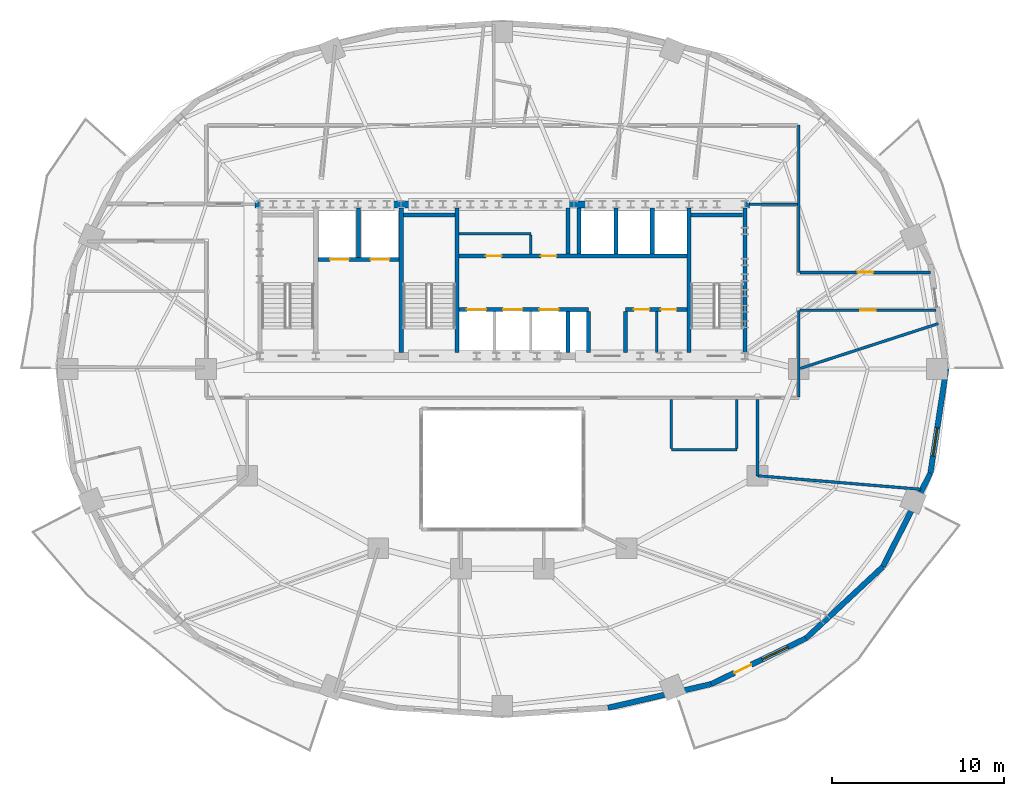
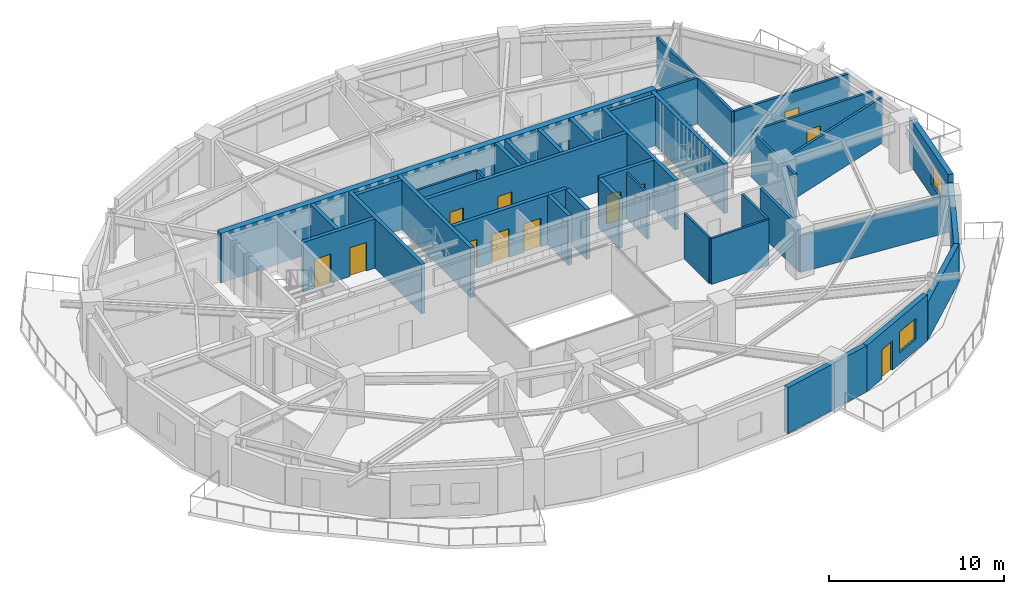
# One storey, part 7 of 13: 38 walls, 12 doors, 2 windows, 14 openings.
"""IFC4 building model written with IfcOpenShell, lengths in metres."""

import ifcopenshell
import ifcopenshell.guid

model = None  # the IFC model being written
_history = None  # IfcOwnerHistory: only IFC2X3 demands one
_inside = {}  # id of a spatial element -> (the spatial element, [elements in it])
_under = {}  # id of a project, library or spatial element -> (it, [spatial elements below it])
_declared = {}  # id of a project -> (the project, [libraries it declares])
_typed = {}  # id of a type object -> (the type object, [elements of that type])
_made_of = {}  # id of a material, layer set ... -> (it, [elements and type objects made of it])


def new_model(schema):
    """Start an empty IFC model of exactly this schema.

    Asked for "IFC4X3", IfcOpenShell would pick the latest addendum, in which some entities
    have other attributes; the version numbers below select the first issue.
    IFC2X3 requires an IfcOwnerHistory on every rooted entity: one is made here for all.
    """
    global model, _history
    if schema == "IFC4X3":
        model = ifcopenshell.file(schema_version=(4, 3, 0, 0))
    else:
        model = ifcopenshell.file(schema=schema)
    _inside.clear()
    _under.clear()
    _declared.clear()
    _typed.clear()
    _made_of.clear()
    _history = None
    if model.schema == "IFC2X3":
        org = make("IfcOrganization", Name="unknown")
        user = make(
            "IfcPersonAndOrganization",
            ThePerson=make("IfcPerson", FamilyName="unknown"),
            TheOrganization=org,
        )
        app = make(
            "IfcApplication",
            ApplicationDeveloper=org,
            Version="unknown",
            ApplicationFullName="unknown",
            ApplicationIdentifier="unknown",
        )
        _history = make(
            "IfcOwnerHistory",
            OwningUser=user,
            OwningApplication=app,
            ChangeAction="ADDED",
            CreationDate=0,
        )
    return model


def make(cls, **values):
    """One entity of the class cls with the attributes given. An attribute that is None is left unset."""
    return model.create_entity(
        cls, **{name: value for name, value in values.items() if value is not None}
    )


def rooted(cls, **values):
    """An entity with a GlobalId (a new one), such as an element, a storey or a relation."""
    return make(cls, GlobalId=ifcopenshell.guid.new(), OwnerHistory=_history, **values)


def si_unit(unit_type, name, prefix=None):
    """IfcSIUnit, for example si_unit("LENGTHUNIT", "METRE", prefix="MILLI")."""
    return make("IfcSIUnit", UnitType=unit_type, Prefix=prefix, Name=name)


def assignment(units):
    """IfcUnitAssignment: the units of a project."""
    return None if units is None else make("IfcUnitAssignment", Units=units)


def point(xyz):
    """IfcCartesianPoint."""
    return None if xyz is None else make("IfcCartesianPoint", Coordinates=xyz)


def direction(xyz):
    """IfcDirection."""
    return None if xyz is None else make("IfcDirection", DirectionRatios=xyz)


def frame(location, z_axis=None, x_axis=None):
    """IfcAxis2Placement3D, a coordinate frame: its origin and axes. An axis left out is left unset."""
    return make(
        "IfcAxis2Placement3D",
        Location=point(location),
        Axis=direction(z_axis),
        RefDirection=direction(x_axis),
    )


def frame_2d(location, x_axis=None):
    """IfcAxis2Placement2D, a coordinate frame in the plane: its origin and x axis."""
    return make(
        "IfcAxis2Placement2D", Location=point(location), RefDirection=direction(x_axis)
    )


def origin():
    """The frame at (0, 0, 0) with its axes left unset."""
    return frame((0.0, 0.0, 0.0))


def place(relative_to, where):
    """IfcLocalPlacement: puts the frame where relative to a parent placement (None: the world)."""
    return make(
        "IfcLocalPlacement", PlacementRelTo=relative_to, RelativePlacement=where
    )


def context(
    kind, dimensions, precision=None, world=None, true_north=None, identifier=None
):
    """IfcGeometricRepresentationContext, for example the 3D "Model" context."""
    return make(
        "IfcGeometricRepresentationContext",
        ContextIdentifier=identifier,
        ContextType=kind,
        CoordinateSpaceDimension=dimensions,
        Precision=precision,
        WorldCoordinateSystem=world,
        TrueNorth=true_north,
    )


def subcontext(parent, identifier, kind, view, scale=None):
    """IfcGeometricRepresentationSubContext, for example "Body" below "Model"."""
    return make(
        "IfcGeometricRepresentationSubContext",
        ContextIdentifier=identifier,
        ContextType=kind,
        ParentContext=parent,
        TargetScale=scale,
        TargetView=view,
    )


def project(units=None, contexts=None):
    """IfcProject with its units and contexts."""
    return rooted(
        "IfcProject",
        Name="project",
        RepresentationContexts=contexts,
        UnitsInContext=assignment(units),
    )


def spatial(cls, under=None, at=None, **own):
    """A site, building, storey or space (cls), placed at a placement, below another one or the project."""
    s = rooted(cls, ObjectPlacement=at, **own)
    if under is not None:
        _under.setdefault(under.id(), (under, []))[1].append(s)
    return s


def profile(cls, at=None, kind="AREA", **sizes):
    """A parametric profile (cls). Its sizes go by their IFC names, for example OverallWidth=200.0."""
    return make(cls, ProfileType=kind, Position=at, **sizes)


def rectangle(**sizes):
    """IfcRectangleProfileDef."""
    return profile("IfcRectangleProfileDef", **sizes)


def extrude(swept, where, along, depth):
    """IfcExtrudedAreaSolid: the profile swept, set in the frame where, extruded along a direction by depth."""
    return make(
        "IfcExtrudedAreaSolid",
        SweptArea=swept,
        Position=where,
        ExtrudedDirection=direction(along),
        Depth=depth,
    )


def shape(context_of_items, identifier, shape_type, items):
    """IfcShapeRepresentation: the items that make up one representation, for example the "Body"."""
    return make(
        "IfcShapeRepresentation",
        ContextOfItems=context_of_items,
        RepresentationIdentifier=identifier,
        RepresentationType=shape_type,
        Items=items,
    )


def material(Name=None, Category=None):
    """IfcMaterial."""
    return make("IfcMaterial", Name=Name, Category=Category)


def layer(
    of_material, thickness, ventilated=None, Name=None, Category=None, Priority=None
):
    """IfcMaterialLayer: one layer of a wall or slab, of a material (None: an air gap)."""
    return make(
        "IfcMaterialLayer",
        Material=of_material,
        LayerThickness=thickness,
        IsVentilated=ventilated,
        Name=Name,
        Category=Category,
        Priority=Priority,
    )


def layer_set(layers, Name=None):
    """IfcMaterialLayerSet."""
    return make("IfcMaterialLayerSet", MaterialLayers=layers, LayerSetName=Name)


def made_of(thing, what):
    """Note that an element or type object is made of a material, layer set ...; save() writes the relation."""
    if what is not None:
        _made_of.setdefault(what.id(), (what, []))[1].append(thing)
    return thing


def type_object(cls, material=None, **own):
    """A type object (cls), such as IfcWallType, which elements share."""
    return made_of(rooted(cls, **own), material)


def element(
    cls,
    number,
    at=None,
    inside=None,
    cuts=None,
    type_object=None,
    material=None,
    context=None,
    identifier="Body",
    shape_type=None,
    held_by="IfcProductDefinitionShape",
    body=None,
    shapes=None,
    **own,
):
    """One element of the class cls, such as IfcWall. Its Tag is "e" and its number.

    at: its placement. inside: the storey or other place that contains it. cuts: it is an
    opening in that element (IfcRelVoidsElement). A single representation is given by context,
    identifier, shape_type and body (its items); several are given by shapes. held_by: the class
    of the entity that holds the representations. save() writes the other relations.
    """
    e = rooted(cls, Tag="e%d" % number, ObjectPlacement=at, **own)
    if body is not None:
        shapes = [shape(context, identifier, shape_type, body)]
    if shapes is not None:
        e.Representation = make(held_by, Representations=shapes)
    if inside is not None:
        _inside.setdefault(inside.id(), (inside, []))[1].append(e)
    if cuts is not None:
        rooted(
            "IfcRelVoidsElement", RelatingBuildingElement=cuts, RelatedOpeningElement=e
        )
    if type_object is not None:
        _typed.setdefault(type_object.id(), (type_object, []))[1].append(e)
    return made_of(e, material)


def fill(opening, filler):
    """IfcRelFillsElement: the door or window that sits in an opening."""
    return rooted(
        "IfcRelFillsElement",
        RelatingOpeningElement=opening,
        RelatedBuildingElement=filler,
    )


def aggregate(whole, parts):
    """IfcRelAggregates: a whole, such as a stair, and the parts it consists of."""
    return rooted("IfcRelAggregates", RelatingObject=whole, RelatedObjects=parts)


def save(model, path):
    """Write the relations noted so far, then the file.

    IfcRelAggregates (storeys below a building ...), IfcRelContainedInSpatialStructure (elements
    in a storey), IfcRelDefinesByType, IfcRelAssociatesMaterial and IfcRelDeclares: one each for
    every whole, place, type object, material and project.
    """
    for whole, parts in _under.values():
        aggregate(whole, parts)
    for where, things in _inside.values():
        rooted(
            "IfcRelContainedInSpatialStructure",
            RelatedElements=things,
            RelatingStructure=where,
        )
    for kind, things in _typed.values():
        rooted("IfcRelDefinesByType", RelatedObjects=things, RelatingType=kind)
    for what, things in _made_of.values():
        rooted("IfcRelAssociatesMaterial", RelatedObjects=things, RelatingMaterial=what)
    for by, libraries in _declared.values():
        rooted("IfcRelDeclares", RelatingContext=by, RelatedDefinitions=libraries)
    model.write(path)


model = new_model("IFC4")

# Units and contexts
model_context = context("Model", 3, precision=1e-05, world=origin(), true_north=direction((0.0, 1.0)))
body_context = subcontext(model_context, "Body", "Model", "MODEL_VIEW")
ifc_project = project(units=[si_unit("LENGTHUNIT", "METRE"), si_unit("AREAUNIT", "SQUARE_METRE"), si_unit("VOLUMEUNIT", "CUBIC_METRE"), si_unit("PLANEANGLEUNIT", "RADIAN"), si_unit("MASSUNIT", "GRAM", prefix="KILO")], contexts=[model_context])

# Site, building, storey
site_placement = place(None, origin())
site = spatial("IfcSite", under=ifc_project, at=site_placement, CompositionType="ELEMENT")
building_placement = place(site_placement, origin())
building = spatial("IfcBuilding", under=site, at=building_placement, Name="Haldorwick Loom Tower", CompositionType="ELEMENT")
storey_placement = place(building_placement, frame((0.0, 0.0, 175.14990234375)))
storey = spatial("IfcBuildingStorey", under=building, at=storey_placement, Name="L47", CompositionType="ELEMENT", Elevation=175.14990234375)

# Wall
ifc_material_1 = material(Name="Pressed Clay Face Brick and Insulated Masonry Backup Assembly", Category="masonry")
ifc_layer_1 = layer(ifc_material_1, 0.320068359375, Name="Pressed Clay Face Brick and Insulated Masonry Backup Assembly", Category="masonry")
ifc_layer_set_1 = layer_set([ifc_layer_1], Name="Pressed Clay Face Brick and Insulated Masonry Backup Assembly")
wall_type_1 = type_object("IfcWallType", Name="ARC-WL-EXT320", PredefinedType="STANDARD", material=ifc_layer_set_1)
wall_1_placement = place(storey_placement, frame((42.12890625, 6.3359375, 0.0), z_axis=(0.0, 0.0, 1.0), x_axis=(0.974593223547, 0.223982250674, 0.0)))
element("IfcWall", 1, at=wall_1_placement, inside=storey, type_object=wall_type_1, Name="L47 Brick Pier and Spandrel Wall 20", PredefinedType="STANDARD", context=body_context, shape_type="SweptSolid", body=[
    extrude(rectangle(XDim=6.138916015625, YDim=0.320068359375, at=frame_2d((3.0693359375, 0.0))), origin(), (0.0, 0.0, 1.0), 3.210205078125),
])

# Wall, openings, door, window
wall_2_placement = place(storey_placement, frame((48.11181640625, 7.7109375, 0.0), z_axis=(0.0, 0.0, 1.0), x_axis=(0.900479976617, 0.434897472644, 0.0)))
wall_2 = element("IfcWall", 2, at=wall_2_placement, inside=storey, type_object=wall_type_1, Name="L47 Brick Pier and Spandrel Wall 21", PredefinedType="STANDARD", context=body_context, shape_type="SweptSolid", body=[
    extrude(rectangle(XDim=6.118408203125, YDim=0.320068359375, at=frame_2d((3.05908203125, 0.0))), origin(), (0.0, 0.0, 1.0), 3.210205078125),
])
opening_1_placement = place(wall_2_placement, frame((1.50634765625, 0.0, 0.0)))
opening_1 = element("IfcOpeningElement", 3, at=opening_1_placement, cuts=wall_2, Name="Opening D-BL11", PredefinedType="OPENING", context=body_context, shape_type="SweptSolid", body=[
    extrude(rectangle(XDim=1.080078125, YDim=2.0400390625, at=frame_2d((0.5400390625, 1.02001953125))), frame((0.0, 0.169921875, 0.0), z_axis=(0.0, -1.0, 0.0), x_axis=(1.0, 0.0, 0.0)), (0.0, 0.0, 1.0), 0.340087890625),
])
opening_2_placement = place(wall_2_placement, frame((3.28662109375, 0.0, 0.800048828125)))
opening_2 = element("IfcOpeningElement", 4, at=opening_2_placement, cuts=wall_2, Name="Opening W-01B", PredefinedType="OPENING", context=body_context, shape_type="SweptSolid", body=[
    extrude(rectangle(XDim=1.64990234375, YDim=1.449951171875, at=frame_2d((0.824951171875, 0.72509765625))), frame((0.0, 0.169921875, 0.0), z_axis=(0.0, -1.0, 0.0), x_axis=(1.0, 0.0, 0.0)), (0.0, 0.0, 1.0), 0.340087890625),
])
ifc_material_2 = material(Name="Thermally Broken Anodized Aluminium Curtain Wall Framing", Category="aluminium")
door_type_1 = type_object("IfcDoorType", Name="ARC-DR-BAL110", OperationType="NOTDEFINED", PredefinedType="DOOR", material=ifc_material_2)
door_1_placement = place(opening_1_placement, origin())
door_1 = element("IfcDoor", 5, at=door_1_placement, inside=storey, type_object=door_type_1, Name="L47 Outdoor Terrace Door SLB-L47-BAL_SE", OperationType="SINGLE_SWING_RIGHT", OverallHeight=2.0400390625, OverallWidth=1.080078125, PredefinedType="DOOR", context=body_context, shape_type="SweptSolid", body=[
    extrude(rectangle(XDim=1.080078125, YDim=2.0400390625, at=frame_2d((0.5400390625, 1.02001953125))), frame((0.0, 0.02490234375, 0.0), z_axis=(0.0, -1.0, 0.0), x_axis=(1.0, 0.0, 0.0)), (0.0, 0.0, 1.0), 0.050048828125),
])
fill(opening_1, door_1)
ifc_material_3 = material(Name="Triple-Glazed Low-E Argon Insulated Glazing Unit", Category="glass")
window_type = type_object("IfcWindowType", Name="ARC-WIN-W165", PartitioningType="SINGLE_PANEL", PredefinedType="WINDOW", material=ifc_material_3)
window_1_placement = place(opening_2_placement, origin())
window_1 = element("IfcWindow", 6, at=window_1_placement, inside=storey, type_object=window_type, Name="L47 Deep-Set Zone 7A Window 21", OverallHeight=1.449951171875, OverallWidth=1.64990234375, PartitioningType="SINGLE_PANEL", PredefinedType="WINDOW", context=body_context, shape_type="SweptSolid", body=[
    extrude(rectangle(XDim=1.64990234375, YDim=1.449951171875, at=frame_2d((0.824951171875, 0.72509765625))), frame((0.0, 0.030029296875, 0.0), z_axis=(0.0, -1.0, 0.0), x_axis=(1.0, 0.0, 0.0)), (0.0, 0.0, 1.0), 0.06005859375),
])
fill(opening_2, window_1)

# Walls
for number, where, z_axis, x_axis, name in (
    (7, (53.621337890625, 10.371826171875, 0.0), (0.0, 0.0, 1.0), (0.731982952968, 0.681322945866, 0.0), "L47 Brick Pier and Spandrel Wall 22"),
    (8, (58.07666015625, 14.518798828125, 0.0), (0.0, 0.0, 1.0), (0.453172129629, 0.89142303141, 0.0), "L47 Brick Pier and Spandrel Wall 23"),
):
    element("IfcWall", number, at=place(storey_placement, frame(where, z_axis=z_axis, x_axis=x_axis)), inside=storey, type_object=wall_type_1, Name=name, PredefinedType="STANDARD", context=body_context, shape_type="SweptSolid", body=[
        extrude(rectangle(XDim=6.086669921875, YDim=0.320068359375, at=frame_2d((3.04345703125, 0.0))), origin(), (0.0, 0.0, 1.0), 2.64111328125),
    ])

# Wall, opening, window
wall_3_placement = place(storey_placement, frame((60.8349609375, 19.944580078125, 0.0), z_axis=(0.0, 0.0, 1.0), x_axis=(0.150544467684, 0.988603238539, 0.0)))
wall_3 = element("IfcWall", 9, at=wall_3_placement, inside=storey, type_object=wall_type_1, Name="L47 Brick Pier and Spandrel Wall 24", PredefinedType="STANDARD", context=body_context, shape_type="SweptSolid", body=[
    extrude(rectangle(XDim=6.125244140625, YDim=0.320068359375, at=frame_2d((3.0625, 0.0))), origin(), (0.0, 0.0, 1.0), 3.210205078125),
])
opening_3_placement = place(wall_3_placement, frame((1.0126953125, 0.0, 0.800048828125)))
opening_3 = element("IfcOpeningElement", 10, at=opening_3_placement, cuts=wall_3, Name="Opening W-01B", PredefinedType="OPENING", context=body_context, shape_type="SweptSolid", body=[
    extrude(rectangle(XDim=1.64990234375, YDim=1.449951171875, at=frame_2d((0.824951171875, 0.72509765625))), frame((0.0, 0.169921875, 0.0), z_axis=(0.0, -1.0, 0.0), x_axis=(1.0, 0.0, 0.0)), (0.0, 0.0, 1.0), 0.340087890625),
])
window_2_placement = place(opening_3_placement, origin())
window_2 = element("IfcWindow", 11, at=window_2_placement, inside=storey, type_object=window_type, Name="L47 Deep-Set Zone 7A Window 24", OverallHeight=1.449951171875, OverallWidth=1.64990234375, PartitioningType="SINGLE_PANEL", PredefinedType="WINDOW", context=body_context, shape_type="SweptSolid", body=[
    extrude(rectangle(XDim=1.64990234375, YDim=1.449951171875, at=frame_2d((0.824951171875, 0.72509765625))), frame((0.0, 0.030029296875, 0.0), z_axis=(0.0, -1.0, 0.0), x_axis=(1.0, 0.0, 0.0)), (0.0, 0.0, 1.0), 0.06005859375),
])
fill(opening_3, window_2)

# Walls
ifc_material_4 = material(Name="Fire-Rated Type X Gypsum Stud Assembly EI 60")
ifc_layer_2 = layer(ifc_material_4, 0.159912109375, Name="Fire-Rated Type X Gypsum Stud Assembly EI 60")
ifc_layer_set_2 = layer_set([ifc_layer_2], Name="Fire-Rated Type X Gypsum Stud Assembly EI 60")
wall_type_2 = type_object("IfcWallType", Name="ARC-WL-FIRE160", PredefinedType="PARTITIONING", material=ifc_layer_set_2)
wall_4_placement = place(storey_placement, frame((53.199951171875, 24.383056640625, 0.0), z_axis=(0.0, 0.0, 1.0), x_axis=(0.0, 1.0, 0.0)))
element("IfcWall", 12, at=wall_4_placement, inside=storey, type_object=wall_type_2, Name="L47 Residential Fire Partition L47-CR-E0A", PredefinedType="PARTITIONING", context=body_context, shape_type="SweptSolid", body=[
    extrude(rectangle(XDim=5.016845703125, YDim=0.159912109375, at=frame_2d((2.50830078125, 0.0))), origin(), (0.0, 0.0, 1.0), 3.195068359375),
])
wall_5_placement = place(storey_placement, frame((53.199951171875, 31.60009765625, 0.0), z_axis=(0.0, 0.0, 1.0), x_axis=(0.0, 1.0, 0.0)))
element("IfcWall", 13, at=wall_5_placement, inside=storey, type_object=wall_type_2, Name="L47 Residential Fire Partition L47-CR-E0B", PredefinedType="PARTITIONING", context=body_context, shape_type="SweptSolid", body=[
    extrude(rectangle(XDim=8.5498046875, YDim=0.159912109375, at=frame_2d((4.27490234375, 0.0))), origin(), (0.0, 0.0, 1.0), 3.195068359375),
])

# Wall, opening, door
wall_6_placement = place(storey_placement, frame((53.282958984375, 29.39990234375, 0.0), z_axis=(0.0, 0.0, 1.0), x_axis=(1.0, 0.0, 0.0)))
wall_6 = element("IfcWall", 14, at=wall_6_placement, inside=storey, type_object=wall_type_2, Name="L47 Residential Fire Partition L47-CR-GE0", PredefinedType="PARTITIONING", context=body_context, shape_type="SweptSolid", body=[
    extrude(rectangle(XDim=7.890625, YDim=0.159912109375, at=frame_2d((3.9453125, 0.0))), origin(), (0.0, 0.0, 1.0), 3.195068359375),
])
opening_4_placement = place(wall_6_placement, frame((3.4951171875, 0.0, 0.0)))
opening_4 = element("IfcOpeningElement", 15, at=opening_4_placement, cuts=wall_6, Name="Opening D-FD60A", PredefinedType="OPENING", context=body_context, shape_type="SweptSolid", body=[
    extrude(rectangle(XDim=0.89990234375, YDim=2.0, at=frame_2d((0.449951171875, 1.0))), frame((0.0, 0.08984375, 0.0), z_axis=(0.0, -1.0, 0.0), x_axis=(1.0, 0.0, 0.0)), (0.0, 0.0, 1.0), 0.179931640625),
])
ifc_material_5 = material(Name="Hollow Steel Fire Door Assembly", Category="steel")
door_type_2 = type_object("IfcDoorType", Name="ARC-DR-FD60-90", OperationType="NOTDEFINED", PredefinedType="DOOR", material=ifc_material_5)
door_2_placement = place(opening_4_placement, origin())
door_2 = element("IfcDoor", 16, at=door_2_placement, inside=storey, type_object=door_type_2, Name="L47 L47 Central Residential Corridor to Games Club Hall 3 Door", OperationType="SINGLE_SWING_LEFT", OverallHeight=2.0, OverallWidth=0.89990234375, PredefinedType="DOOR", context=body_context, shape_type="SweptSolid", body=[
    extrude(rectangle(XDim=0.89990234375, YDim=2.0, at=frame_2d((0.449951171875, 1.0))), frame((0.0, 0.02490234375, 0.0), z_axis=(0.0, -1.0, 0.0), x_axis=(1.0, 0.0, 0.0)), (0.0, 0.0, 1.0), 0.050048828125),
])
fill(opening_4, door_2)

wall_7_placement = place(storey_placement, frame((53.282958984375, 31.60009765625, 0.0), z_axis=(0.0, 0.0, 1.0), x_axis=(1.0, 0.0, 0.0)))
wall_7 = element("IfcWall", 17, at=wall_7_placement, inside=storey, type_object=wall_type_2, Name="L47 Residential Fire Partition L47-CR-GE1", PredefinedType="PARTITIONING", context=body_context, shape_type="SweptSolid", body=[
    extrude(rectangle(XDim=7.555419921875, YDim=0.159912109375, at=frame_2d((3.77783203125, 0.0))), origin(), (0.0, 0.0, 1.0), 3.195068359375),
])
opening_5_placement = place(wall_7_placement, frame((3.327880859375, 0.0, 0.0)))
opening_5 = element("IfcOpeningElement", 18, at=opening_5_placement, cuts=wall_7, Name="Opening D-FD60A", PredefinedType="OPENING", context=body_context, shape_type="SweptSolid", body=[
    extrude(rectangle(XDim=0.89990234375, YDim=2.0, at=frame_2d((0.449951171875, 1.0))), frame((0.0, 0.08984375, 0.0), z_axis=(0.0, -1.0, 0.0), x_axis=(1.0, 0.0, 0.0)), (0.0, 0.0, 1.0), 0.179931640625),
])
door_3_placement = place(opening_5_placement, frame((0.89990234375, 0.0, 0.0), z_axis=(0.0, 0.0, 1.0), x_axis=(-1.0, 0.0, 0.0)))
door_3 = element("IfcDoor", 19, at=door_3_placement, inside=storey, type_object=door_type_2, Name="L47 Community Library Hall 1 to L47 Central Residential Corridor Door", OperationType="SINGLE_SWING_RIGHT", OverallHeight=2.0, OverallWidth=0.89990234375, PredefinedType="DOOR", context=body_context, shape_type="SweptSolid", body=[
    extrude(rectangle(XDim=0.89990234375, YDim=2.0, at=frame_2d((0.449951171875, 1.0))), frame((0.0, 0.02490234375, 0.0), z_axis=(0.0, -1.0, 0.0), x_axis=(1.0, 0.0, 0.0)), (0.0, 0.0, 1.0), 0.050048828125),
])
fill(opening_5, door_3)

# Walls
wall_8_placement = place(storey_placement, frame((50.35009765625, 35.550048828125, 0.0), z_axis=(0.0, 0.0, 1.0), x_axis=(1.0, 0.0, 0.0)))
element("IfcWall", 20, at=wall_8_placement, inside=storey, type_object=wall_type_2, Name="L47 Residential Fire Partition L47-CR-ENC", PredefinedType="PARTITIONING", context=body_context, shape_type="SweptSolid", body=[
    extrude(rectangle(XDim=2.766845703125, YDim=0.159912109375, at=frame_2d((1.38330078125, 0.0))), origin(), (0.0, 0.0, 1.0), 3.195068359375),
])
wall_9_placement = place(storey_placement, frame((53.282958984375, 26.027099609375, 0.0), z_axis=(0.0, 0.0, 1.0), x_axis=(0.951062404032, 0.308998873198, 0.0)))
element("IfcWall", 21, at=wall_9_placement, inside=storey, type_object=wall_type_2, Name="L47 Residential Fire Partition L47-ICR-01", PredefinedType="PARTITIONING", context=body_context, shape_type="SweptSolid", body=[
    extrude(rectangle(XDim=8.420166015625, YDim=0.159912109375, at=frame_2d((4.2099609375, 0.0))), origin(), (0.0, 0.0, 1.0), 3.195068359375),
])
wall_10_placement = place(storey_placement, frame((50.800048828125, 19.800048828125, 0.0), z_axis=(0.0, 0.0, 1.0), x_axis=(0.996594391487, -0.082459801457, 0.0)))
element("IfcWall", 22, at=wall_10_placement, inside=storey, type_object=wall_type_2, Name="L47 Residential Fire Partition L47-ICR-03", PredefinedType="PARTITIONING", context=body_context, shape_type="SweptSolid", body=[
    extrude(rectangle(XDim=9.521728515625, YDim=0.159912109375, at=frame_2d((4.7607421875, 0.0))), origin(), (0.0, 0.0, 1.0), 2.568115234375),
])
wall_11_placement = place(storey_placement, frame((50.800048828125, 24.217041015625, 0.0), z_axis=(0.0, 0.0, 1.0), x_axis=(0.0, -1.0, 0.0)))
element("IfcWall", 23, at=wall_11_placement, inside=storey, type_object=wall_type_2, Name="L47 Residential Fire Partition L47-ICA-02", PredefinedType="PARTITIONING", context=body_context, shape_type="SweptSolid", body=[
    extrude(rectangle(XDim=4.4169921875, YDim=0.159912109375, at=frame_2d((2.20849609375, 0.0))), origin(), (0.0, 0.0, 1.0), 3.195068359375),
])
ifc_layer_3 = layer(ifc_material_4, 0.139892578125, Name="Fire-Rated Type X Gypsum Stud Assembly EI 60")
ifc_layer_set_3 = layer_set([ifc_layer_3], Name="Fire-Rated Type X Gypsum Stud Assembly EI 60")
wall_type_3 = type_object("IfcWallType", Name="ARC-WL-PART140", PredefinedType="PARTITIONING", material=ifc_layer_set_3)
wall_12_placement = place(storey_placement, frame((33.492919921875, 33.85009765625, 0.0), z_axis=(0.0, 0.0, 1.0), x_axis=(1.0, 0.0, 0.0)))
element("IfcWall", 24, at=wall_12_placement, inside=storey, type_object=wall_type_3, Name="L47 Storage South Partition", PredefinedType="PARTITIONING", context=body_context, shape_type="SweptSolid", body=[
    extrude(rectangle(XDim=4.156982421875, YDim=0.139892578125, at=frame_2d((2.07861328125, 0.0))), origin(), (0.0, 0.0, 1.0), 3.195068359375),
])
wall_13_placement = place(storey_placement, frame((37.64990234375, 32.673095703125, 0.0), z_axis=(0.0, 0.0, 1.0), x_axis=(0.0, 1.0, 0.0)))
element("IfcWall", 25, at=wall_13_placement, inside=storey, type_object=wall_type_3, Name="L47 Storage East Partition", PredefinedType="PARTITIONING", context=body_context, shape_type="SweptSolid", body=[
    extrude(rectangle(XDim=1.10400390625, YDim=0.139892578125, at=frame_2d((0.552001953125, 0.0))), origin(), (0.0, 0.0, 1.0), 3.195068359375),
])
wall_14_placement = place(storey_placement, frame((44.949951171875, 26.952880859375, 0.0), z_axis=(0.0, 0.0, 1.0), x_axis=(0.0, 1.0, 0.0)))
element("IfcWall", 26, at=wall_14_placement, inside=storey, type_object=wall_type_3, Name="L47 Service Partition", PredefinedType="PARTITIONING", context=body_context, shape_type="SweptSolid", body=[
    extrude(rectangle(XDim=2.3740234375, YDim=0.139892578125, at=frame_2d((1.18701171875, 0.0))), origin(), (0.0, 0.0, 1.0), 3.195068359375),
])
wall_15_placement = place(storey_placement, frame((45.800048828125, 21.300048828125, 0.0), z_axis=(0.0, 0.0, 1.0), x_axis=(1.0, 0.0, 0.0)))
element("IfcWall", 27, at=wall_15_placement, inside=storey, type_object=wall_type_3, Name="L47 Residential Fire Partition L47-CWC-S", PredefinedType="PARTITIONING", context=body_context, shape_type="SweptSolid", body=[
    extrude(rectangle(XDim=3.800048828125, YDim=0.139892578125, at=frame_2d((1.89990234375, 0.0))), origin(), (0.0, 0.0, 1.0), 3.195068359375),
])
for number, where, z_axis, x_axis, name in (
    (28, (45.800048828125, 21.373046875, 0.0), (0.0, 0.0, 1.0), (0.0, 1.0, 0.0), "L47 Residential Fire Partition L47-CWC-W"),
    (29, (49.60009765625, 21.373046875, 0.0), (0.0, 0.0, 1.0), (0.0, 1.0, 0.0), "L47 Residential Fire Partition L47-CWC-E"),
):
    element("IfcWall", number, at=place(storey_placement, frame(where, z_axis=z_axis, x_axis=x_axis)), inside=storey, type_object=wall_type_3, Name=name, PredefinedType="PARTITIONING", context=body_context, shape_type="SweptSolid", body=[
        extrude(rectangle(XDim=2.843994140625, YDim=0.139892578125, at=frame_2d((1.421875, 0.0))), origin(), (0.0, 0.0, 1.0), 3.195068359375),
    ])
ifc_material_6 = material(Name="Concrete C50 (50 MPa)", Category="concrete")
ifc_layer_4 = layer(ifc_material_6, 0.39990234375, Name="Concrete C50 (50 MPa)", Category="concrete")
ifc_layer_set_4 = layer_set([ifc_layer_4], Name="Concrete C50 (50 MPa)")
wall_type_4 = type_object("IfcWallType", Name="STR-WL-CORE400", PredefinedType="SHEAR", material=ifc_layer_set_4)
wall_16_placement = place(storey_placement, frame((50.35009765625, 35.550048828125, 0.0), z_axis=(0.0, 0.0, 1.0), x_axis=(-1.0, 0.0, 0.0)))
element("IfcWall", 30, at=wall_16_placement, inside=storey, type_object=wall_type_4, Name="L47 Core Shear Wall N", PredefinedType="SHEAR", context=body_context, shape_type="SweptSolid", body=[
    extrude(rectangle(XDim=28.7001953125, YDim=0.39990234375, at=frame_2d((14.35009765625, 0.0))), origin(), (0.0, 0.0, 1.0), 3.4501953125),
])
ifc_layer_5 = layer(ifc_material_6, 0.239990234375, Name="Concrete C50 (50 MPa)", Category="concrete")
ifc_layer_set_5 = layer_set([ifc_layer_5], Name="Concrete C50 (50 MPa)")
wall_type_5 = type_object("IfcWallType", Name="STR-WL-SHAFT240", PredefinedType="SHEAR", material=ifc_layer_set_5)
for number, where, z_axis, x_axis, name in (
    (31, (50.070068359375, 26.952880859375, 0.0), (0.0, 0.0, 1.0), (0.0, 1.0, 0.0), "L47 Core Shear Wall E"),
    (32, (30.1298828125, 26.952880859375, 0.0), (0.0, 0.0, 1.0), (0.0, 1.0, 0.0), "L47 Core Shear Wall 2"),
    (33, (33.3701171875, 26.952880859375, 0.0), (0.0, 0.0, 1.0), (0.0, 1.0, 0.0), "L47 Core Shear Wall 3"),
):
    element("IfcWall", number, at=place(storey_placement, frame(where, z_axis=z_axis, x_axis=x_axis)), inside=storey, type_object=wall_type_5, Name=name, PredefinedType="SHEAR", context=body_context, shape_type="SweptSolid", body=[
        extrude(rectangle(XDim=8.39404296875, YDim=0.239990234375, at=frame_2d((4.197021484375, 0.0))), origin(), (0.0, 0.0, 1.0), 3.4501953125),
    ])
wall_17_placement = place(storey_placement, frame((30.2529296875, 34.919921875, 0.0), z_axis=(0.0, 0.0, 1.0), x_axis=(1.0, 0.0, 0.0)))
element("IfcWall", 34, at=wall_17_placement, inside=storey, type_object=wall_type_5, Name="L47 Core Shear Wall 3N", PredefinedType="SHEAR", context=body_context, shape_type="SweptSolid", body=[
    extrude(rectangle(XDim=2.994140625, YDim=0.239990234375, at=frame_2d((1.4970703125, 0.0))), origin(), (0.0, 0.0, 1.0), 3.4501953125),
])
wall_18_placement = place(storey_placement, frame((46.830078125, 26.952880859375, 0.0), z_axis=(0.0, 0.0, 1.0), x_axis=(0.0, 1.0, 0.0)))
element("IfcWall", 35, at=wall_18_placement, inside=storey, type_object=wall_type_5, Name="L47 Core Shear Wall 4", PredefinedType="SHEAR", context=body_context, shape_type="SweptSolid", body=[
    extrude(rectangle(XDim=8.39404296875, YDim=0.239990234375, at=frame_2d((4.197021484375, 0.0))), origin(), (0.0, 0.0, 1.0), 3.4501953125),
])
wall_19_placement = place(storey_placement, frame((46.952880859375, 34.919921875, 0.0), z_axis=(0.0, 0.0, 1.0), x_axis=(1.0, 0.0, 0.0)))
element("IfcWall", 36, at=wall_19_placement, inside=storey, type_object=wall_type_5, Name="L47 Core Shear Wall 4N", PredefinedType="SHEAR", context=body_context, shape_type="SweptSolid", body=[
    extrude(rectangle(XDim=2.994140625, YDim=0.239990234375, at=frame_2d((1.4970703125, 0.0))), origin(), (0.0, 0.0, 1.0), 3.4501953125),
])

# Wall, openings, doors
wall_20_placement = place(storey_placement, frame((25.29296875, 32.35009765625, 0.0), z_axis=(0.0, 0.0, 1.0), x_axis=(1.0, 0.0, 0.0)))
wall_20 = element("IfcWall", 37, at=wall_20_placement, inside=storey, type_object=wall_type_5, Name="L47 Core Shear Wall FF", PredefinedType="SHEAR", context=body_context, shape_type="SweptSolid", body=[
    extrude(rectangle(XDim=4.714111328125, YDim=0.239990234375, at=frame_2d((2.35693359375, 0.0))), origin(), (0.0, 0.0, 1.0), 3.4501953125),
])
opening_6_placement = place(wall_20_placement, frame((0.70703125, 0.0, 0.0)))
opening_6 = element("IfcOpeningElement", 38, at=opening_6_placement, cuts=wall_20, Name="Opening LD-FF1", PredefinedType="OPENING", context=body_context, shape_type="SweptSolid", body=[
    extrude(rectangle(XDim=1.10009765625, YDim=2.0, at=frame_2d((0.550048828125, 1.0))), frame((0.0, 0.1298828125, 0.0), z_axis=(0.0, -1.0, 0.0), x_axis=(1.0, 0.0, 0.0)), (0.0, 0.0, 1.0), 0.260009765625),
])
opening_7_placement = place(wall_20_placement, frame((3.056884765625, 0.0, 0.0)))
opening_7 = element("IfcOpeningElement", 39, at=opening_7_placement, cuts=wall_20, Name="Opening LD-FF2", PredefinedType="OPENING", context=body_context, shape_type="SweptSolid", body=[
    extrude(rectangle(XDim=1.10009765625, YDim=2.0, at=frame_2d((0.550048828125, 1.0))), frame((0.0, 0.1298828125, 0.0), z_axis=(0.0, -1.0, 0.0), x_axis=(1.0, 0.0, 0.0)), (0.0, 0.0, 1.0), 0.260009765625),
])
door_type_3 = type_object("IfcDoorType", Name="ARC-DR-LD-FF", OperationType="NOTDEFINED", PredefinedType="USERDEFINED", material=ifc_material_5)
door_4_placement = place(opening_6_placement, origin())
door_4 = element("IfcDoor", 40, at=door_4_placement, inside=storey, type_object=door_type_3, Name="L47 Lift LF-FF1 Sliding Landing Door", ObjectType="LANDING DOOR", OperationType="DOUBLE_DOOR_SLIDING", OverallHeight=2.0, OverallWidth=1.10009765625, PredefinedType="USERDEFINED", context=body_context, shape_type="SweptSolid", body=[
    extrude(rectangle(XDim=1.10009765625, YDim=2.0, at=frame_2d((0.550048828125, 1.0))), frame((0.0, 0.02490234375, 0.0), z_axis=(0.0, -1.0, 0.0), x_axis=(1.0, 0.0, 0.0)), (0.0, 0.0, 1.0), 0.050048828125),
])
fill(opening_6, door_4)
door_5_placement = place(opening_7_placement, origin())
door_5 = element("IfcDoor", 41, at=door_5_placement, inside=storey, type_object=door_type_3, Name="L47 Lift LF-FF2 Sliding Landing Door", ObjectType="LANDING DOOR", OperationType="DOUBLE_DOOR_SLIDING", OverallHeight=2.0, OverallWidth=1.10009765625, PredefinedType="USERDEFINED", context=body_context, shape_type="SweptSolid", body=[
    extrude(rectangle(XDim=1.10009765625, YDim=2.0, at=frame_2d((0.550048828125, 1.0))), frame((0.0, 0.02490234375, 0.0), z_axis=(0.0, -1.0, 0.0), x_axis=(1.0, 0.0, 0.0)), (0.0, 0.0, 1.0), 0.050048828125),
])
fill(opening_7, door_5)

# Wall
wall_21_placement = place(storey_placement, frame((27.64990234375, 32.472900390625, 0.0), z_axis=(0.0, 0.0, 1.0), x_axis=(0.0, 1.0, 0.0)))
element("IfcWall", 42, at=wall_21_placement, inside=storey, type_object=wall_type_5, Name="L47 Core Shear Wall FFD", PredefinedType="SHEAR", context=body_context, shape_type="SweptSolid", body=[
    extrude(rectangle(XDim=2.8740234375, YDim=0.239990234375, at=frame_2d((1.43701171875, 0.0))), origin(), (0.0, 0.0, 1.0), 3.4501953125),
])

# Wall, openings, doors
wall_22_placement = place(storey_placement, frame((33.492919921875, 32.550048828125, 0.0), z_axis=(0.0, 0.0, 1.0), x_axis=(1.0, 0.0, 0.0)))
wall_22 = element("IfcWall", 43, at=wall_22_placement, inside=storey, type_object=wall_type_5, Name="L47 Core Shear Wall LN", PredefinedType="SHEAR", context=body_context, shape_type="SweptSolid", body=[
    extrude(rectangle(XDim=13.214111328125, YDim=0.239990234375, at=frame_2d((6.60693359375, 0.0))), origin(), (0.0, 0.0, 1.0), 3.4501953125),
])
opening_8_placement = place(wall_22_placement, frame((1.556884765625, 0.0, 0.0)))
opening_8 = element("IfcOpeningElement", 44, at=opening_8_placement, cuts=wall_22, Name="Opening D-FD60A", PredefinedType="OPENING", context=body_context, shape_type="SweptSolid", body=[
    extrude(rectangle(XDim=0.89990234375, YDim=2.0, at=frame_2d((0.449951171875, 1.0))), frame((0.0, 0.1298828125, 0.0), z_axis=(0.0, -1.0, 0.0), x_axis=(1.0, 0.0, 0.0)), (0.0, 0.0, 1.0), 0.260009765625),
])
opening_9_placement = place(wall_22_placement, frame((4.737060546875, 0.0, 0.0)))
opening_9 = element("IfcOpeningElement", 45, at=opening_9_placement, cuts=wall_22, Name="Opening D-FD60A", PredefinedType="OPENING", context=body_context, shape_type="SweptSolid", body=[
    extrude(rectangle(XDim=0.89990234375, YDim=2.0, at=frame_2d((0.449951171875, 1.0))), frame((0.0, 0.1298828125, 0.0), z_axis=(0.0, -1.0, 0.0), x_axis=(1.0, 0.0, 0.0)), (0.0, 0.0, 1.0), 0.260009765625),
])
door_6_placement = place(opening_8_placement, frame((0.89990234375, 0.0, 0.0), z_axis=(0.0, 0.0, 1.0), x_axis=(-1.0, 0.0, 0.0)))
door_6 = element("IfcDoor", 46, at=door_6_placement, inside=storey, type_object=door_type_2, Name="L47 Resident Storage Door", OperationType="SINGLE_SWING_LEFT", OverallHeight=2.0, OverallWidth=0.89990234375, PredefinedType="DOOR", context=body_context, shape_type="SweptSolid", body=[
    extrude(rectangle(XDim=0.89990234375, YDim=2.0, at=frame_2d((0.449951171875, 1.0))), frame((0.0, 0.02490234375, 0.0), z_axis=(0.0, -1.0, 0.0), x_axis=(1.0, 0.0, 0.0)), (0.0, 0.0, 1.0), 0.050048828125),
])
fill(opening_8, door_6)
door_7_placement = place(opening_9_placement, frame((0.89990234375, 0.0, 0.0), z_axis=(0.0, 0.0, 1.0), x_axis=(-1.0, 0.0, 0.0)))
door_7 = element("IfcDoor", 47, at=door_7_placement, inside=storey, type_object=door_type_2, Name="L47 Laundry Door", OperationType="SINGLE_SWING_RIGHT", OverallHeight=2.0, OverallWidth=0.89990234375, PredefinedType="DOOR", context=body_context, shape_type="SweptSolid", body=[
    extrude(rectangle(XDim=0.89990234375, YDim=2.0, at=frame_2d((0.449951171875, 1.0))), frame((0.0, 0.02490234375, 0.0), z_axis=(0.0, -1.0, 0.0), x_axis=(1.0, 0.0, 0.0)), (0.0, 0.0, 1.0), 0.050048828125),
])
fill(opening_9, door_7)

wall_23_placement = place(storey_placement, frame((33.492919921875, 29.449951171875, 0.0), z_axis=(0.0, 0.0, 1.0), x_axis=(1.0, 0.0, 0.0)))
wall_23 = element("IfcWall", 48, at=wall_23_placement, inside=storey, type_object=wall_type_5, Name="L47 Core Shear Wall LS1", PredefinedType="SHEAR", context=body_context, shape_type="SweptSolid", body=[
    extrude(rectangle(XDim=7.507080078125, YDim=0.239990234375, at=frame_2d((3.75341796875, 0.0))), origin(), (0.0, 0.0, 1.0), 3.4501953125),
])
opening_10_placement = place(wall_23_placement, frame((0.447021484375, 0.0, 0.0)))
opening_10 = element("IfcOpeningElement", 49, at=opening_10_placement, cuts=wall_23, Name="Opening LD-M1", PredefinedType="OPENING", context=body_context, shape_type="SweptSolid", body=[
    extrude(rectangle(XDim=1.1201171875, YDim=2.0, at=frame_2d((0.56005859375, 1.0))), frame((0.0, 0.1298828125, 0.0), z_axis=(0.0, -1.0, 0.0), x_axis=(1.0, 0.0, 0.0)), (0.0, 0.0, 1.0), 0.260009765625),
])
opening_11_placement = place(wall_23_placement, frame((2.547119140625, 0.0, 0.0)))
opening_11 = element("IfcOpeningElement", 50, at=opening_11_placement, cuts=wall_23, Name="Opening LD-M2", PredefinedType="OPENING", context=body_context, shape_type="SweptSolid", body=[
    extrude(rectangle(XDim=1.1201171875, YDim=2.0, at=frame_2d((0.56005859375, 1.0))), frame((0.0, 0.1298828125, 0.0), z_axis=(0.0, -1.0, 0.0), x_axis=(1.0, 0.0, 0.0)), (0.0, 0.0, 1.0), 0.260009765625),
])
opening_12_placement = place(wall_23_placement, frame((4.64697265625, 0.0, 0.0)))
opening_12 = element("IfcOpeningElement", 51, at=opening_12_placement, cuts=wall_23, Name="Opening LD-M3", PredefinedType="OPENING", context=body_context, shape_type="SweptSolid", body=[
    extrude(rectangle(XDim=1.1201171875, YDim=2.0, at=frame_2d((0.56005859375, 1.0))), frame((0.0, 0.1298828125, 0.0), z_axis=(0.0, -1.0, 0.0), x_axis=(1.0, 0.0, 0.0)), (0.0, 0.0, 1.0), 0.260009765625),
])
door_type_4 = type_object("IfcDoorType", Name="ARC-DR-LD-PAX", OperationType="NOTDEFINED", PredefinedType="USERDEFINED", material=ifc_material_5)
door_8_placement = place(opening_10_placement, origin())
door_8 = element("IfcDoor", 52, at=door_8_placement, inside=storey, type_object=door_type_4, Name="L47 Lift LF-M1 Sliding Landing Door", ObjectType="LANDING DOOR", OperationType="DOUBLE_DOOR_SLIDING", OverallHeight=2.0, OverallWidth=1.1201171875, PredefinedType="USERDEFINED", context=body_context, shape_type="SweptSolid", body=[
    extrude(rectangle(XDim=1.1201171875, YDim=2.0, at=frame_2d((0.56005859375, 1.0))), frame((0.0, 0.02490234375, 0.0), z_axis=(0.0, -1.0, 0.0), x_axis=(1.0, 0.0, 0.0)), (0.0, 0.0, 1.0), 0.050048828125),
])
fill(opening_10, door_8)
door_9_placement = place(opening_11_placement, origin())
door_9 = element("IfcDoor", 53, at=door_9_placement, inside=storey, type_object=door_type_4, Name="L47 Lift LF-M2 Sliding Landing Door", ObjectType="LANDING DOOR", OperationType="DOUBLE_DOOR_SLIDING", OverallHeight=2.0, OverallWidth=1.1201171875, PredefinedType="USERDEFINED", context=body_context, shape_type="SweptSolid", body=[
    extrude(rectangle(XDim=1.1201171875, YDim=2.0, at=frame_2d((0.56005859375, 1.0))), frame((0.0, 0.02490234375, 0.0), z_axis=(0.0, -1.0, 0.0), x_axis=(1.0, 0.0, 0.0)), (0.0, 0.0, 1.0), 0.050048828125),
])
fill(opening_11, door_9)
door_10_placement = place(opening_12_placement, origin())
door_10 = element("IfcDoor", 54, at=door_10_placement, inside=storey, type_object=door_type_4, Name="L47 Lift LF-M3 Sliding Landing Door", ObjectType="LANDING DOOR", OperationType="DOUBLE_DOOR_SLIDING", OverallHeight=2.0, OverallWidth=1.1201171875, PredefinedType="USERDEFINED", context=body_context, shape_type="SweptSolid", body=[
    extrude(rectangle(XDim=1.1201171875, YDim=2.0, at=frame_2d((0.56005859375, 1.0))), frame((0.0, 0.02490234375, 0.0), z_axis=(0.0, -1.0, 0.0), x_axis=(1.0, 0.0, 0.0)), (0.0, 0.0, 1.0), 0.050048828125),
])
fill(opening_12, door_10)

wall_24_placement = place(storey_placement, frame((43.14990234375, 29.449951171875, 0.0), z_axis=(0.0, 0.0, 1.0), x_axis=(1.0, 0.0, 0.0)))
wall_24 = element("IfcWall", 55, at=wall_24_placement, inside=storey, type_object=wall_type_5, Name="L47 Core Shear Wall LS2", PredefinedType="SHEAR", context=body_context, shape_type="SweptSolid", body=[
    extrude(rectangle(XDim=3.55712890625, YDim=0.239990234375, at=frame_2d((1.778564453125, 0.0))), origin(), (0.0, 0.0, 1.0), 3.4501953125),
])
opening_13_placement = place(wall_24_placement, frame((0.47998046875, 0.0, 0.0)))
opening_13 = element("IfcOpeningElement", 56, at=opening_13_placement, cuts=wall_24, Name="Opening D-FD60A", PredefinedType="OPENING", context=body_context, shape_type="SweptSolid", body=[
    extrude(rectangle(XDim=0.89990234375, YDim=2.0, at=frame_2d((0.449951171875, 1.0))), frame((0.0, 0.1298828125, 0.0), z_axis=(0.0, -1.0, 0.0), x_axis=(1.0, 0.0, 0.0)), (0.0, 0.0, 1.0), 0.260009765625),
])
opening_14_placement = place(wall_24_placement, frame((2.050048828125, 0.0, 0.0)))
opening_14 = element("IfcOpeningElement", 57, at=opening_14_placement, cuts=wall_24, Name="Opening D-FD60A", PredefinedType="OPENING", context=body_context, shape_type="SweptSolid", body=[
    extrude(rectangle(XDim=0.89990234375, YDim=2.0, at=frame_2d((0.449951171875, 1.0))), frame((0.0, 0.1298828125, 0.0), z_axis=(0.0, -1.0, 0.0), x_axis=(1.0, 0.0, 0.0)), (0.0, 0.0, 1.0), 0.260009765625),
])
door_11_placement = place(opening_13_placement, origin())
door_11 = element("IfcDoor", 58, at=door_11_placement, inside=storey, type_object=door_type_2, Name="L47 Electrical Room Door", OperationType="SINGLE_SWING_LEFT", OverallHeight=2.0, OverallWidth=0.89990234375, PredefinedType="DOOR", context=body_context, shape_type="SweptSolid", body=[
    extrude(rectangle(XDim=0.89990234375, YDim=2.0, at=frame_2d((0.449951171875, 1.0))), frame((0.0, 0.02490234375, 0.0), z_axis=(0.0, -1.0, 0.0), x_axis=(1.0, 0.0, 0.0)), (0.0, 0.0, 1.0), 0.050048828125),
])
fill(opening_13, door_11)
door_12_placement = place(opening_14_placement, origin())
door_12 = element("IfcDoor", 59, at=door_12_placement, inside=storey, type_object=door_type_2, Name="L47 Cleaner's Store Door", OperationType="SINGLE_SWING_LEFT", OverallHeight=2.0, OverallWidth=0.89990234375, PredefinedType="DOOR", context=body_context, shape_type="SweptSolid", body=[
    extrude(rectangle(XDim=0.89990234375, YDim=2.0, at=frame_2d((0.449951171875, 1.0))), frame((0.0, 0.02490234375, 0.0), z_axis=(0.0, -1.0, 0.0), x_axis=(1.0, 0.0, 0.0)), (0.0, 0.0, 1.0), 0.050048828125),
])
fill(opening_14, door_12)

# Walls
for number, where, z_axis, x_axis, name in (
    (60, (41.0, 26.952880859375, 0.0), (0.0, 0.0, 1.0), (0.0, 1.0, 0.0), "L47 Core Shear Wall THW"),
    (61, (43.14990234375, 26.952880859375, 0.0), (0.0, 0.0, 1.0), (0.0, 1.0, 0.0), "L47 Core Shear Wall THE"),
):
    element("IfcWall", number, at=place(storey_placement, frame(where, z_axis=z_axis, x_axis=x_axis)), inside=storey, type_object=wall_type_5, Name=name, PredefinedType="SHEAR", context=body_context, shape_type="SweptSolid", body=[
        extrude(rectangle(XDim=2.3740234375, YDim=0.239990234375, at=frame_2d((1.18701171875, 0.0))), origin(), (0.0, 0.0, 1.0), 3.4501953125),
    ])
for number, where, z_axis, x_axis, name in (
    (62, (39.800048828125, 32.673095703125, 0.0), (0.0, 0.0, 1.0), (0.0, 1.0, 0.0), "L47 Core Shear Wall LHW"),
    (63, (40.449951171875, 32.673095703125, 0.0), (0.0, 0.0, 1.0), (0.0, 1.0, 0.0), "L47 Core Shear Wall H0"),
    (64, (42.60009765625, 32.673095703125, 0.0), (0.0, 0.0, 1.0), (0.0, 1.0, 0.0), "L47 Core Shear Wall H1"),
    (65, (44.699951171875, 32.673095703125, 0.0), (0.0, 0.0, 1.0), (0.0, 1.0, 0.0), "L47 Core Shear Wall H2"),
):
    element("IfcWall", number, at=place(storey_placement, frame(where, z_axis=z_axis, x_axis=x_axis)), inside=storey, type_object=wall_type_5, Name=name, PredefinedType="SHEAR", context=body_context, shape_type="SweptSolid", body=[
        extrude(rectangle(XDim=2.673828125, YDim=0.239990234375, at=frame_2d((1.3369140625, 0.0))), origin(), (0.0, 0.0, 1.0), 3.4501953125),
    ])
wall_25_placement = place(storey_placement, frame((39.800048828125, 26.952880859375, 0.0), z_axis=(0.0, 0.0, 1.0), x_axis=(0.0, 1.0, 0.0)))
element("IfcWall", 66, at=wall_25_placement, inside=storey, type_object=wall_type_5, Name="L47 Core Shear Wall MRW", PredefinedType="SHEAR", context=body_context, shape_type="SweptSolid", body=[
    extrude(rectangle(XDim=2.3740234375, YDim=0.239990234375, at=frame_2d((1.18701171875, 0.0))), origin(), (0.0, 0.0, 1.0), 3.4501953125),
])

save(model, "model.ifc")
